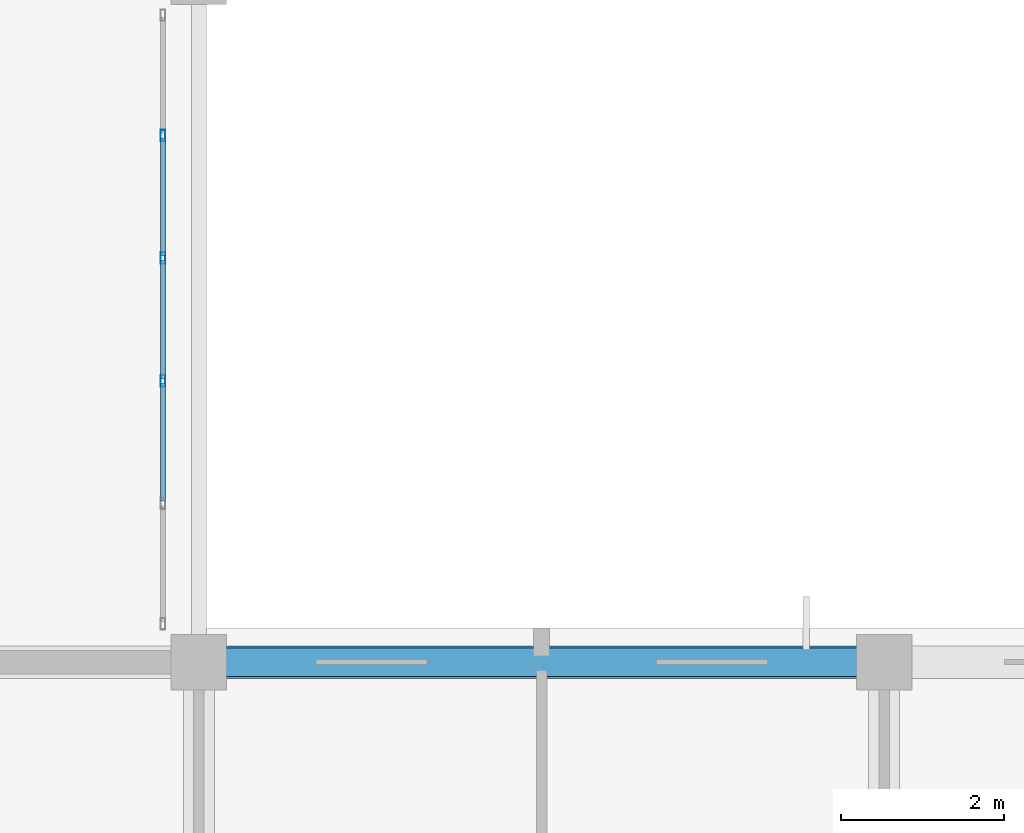
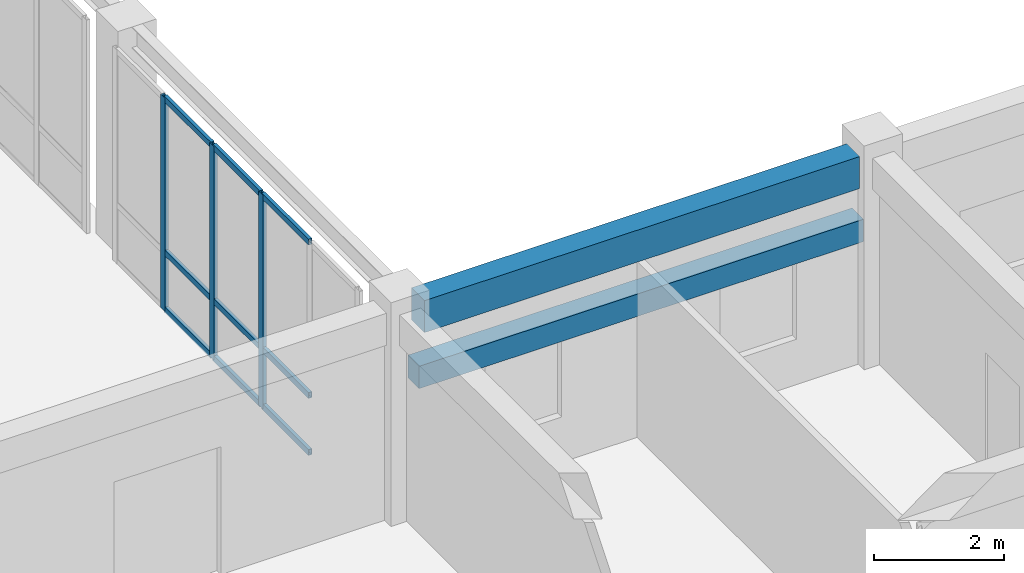
# One storey, part 29 of 140: 12 members, 2 beams, 1 element without a shape of its own.
"""IFC4 building model written with IfcOpenShell, lengths in metres."""

from ifc_helpers import new_model, si_unit, direction, frame, origin, origin_2d, place, context, subcontext, project, spatial, rectangle, hollow_rectangle, extrude, material, layer, layer_set, material_profile, profile_set, type_object, element, aggregate, save


model = new_model("IFC4")

# Units and contexts
model_context = context("Model", 3, precision=1e-05, world=origin(), true_north=direction((0.0, 1.0)))
body_context = subcontext(model_context, "Body", "Model", "MODEL_VIEW")
ifc_project = project(units=[si_unit("LENGTHUNIT", "METRE"), si_unit("AREAUNIT", "SQUARE_METRE"), si_unit("VOLUMEUNIT", "CUBIC_METRE"), si_unit("PLANEANGLEUNIT", "RADIAN"), si_unit("MASSUNIT", "GRAM", prefix="KILO")], contexts=[model_context])

# Site, building, storey
site_placement = place(None, origin())
site = spatial("IfcSite", under=ifc_project, at=site_placement, CompositionType="ELEMENT")
building_placement = place(site_placement, origin())
building = spatial("IfcBuilding", under=site, at=building_placement, Name="Trelvath General Hospital", CompositionType="ELEMENT")
storey_placement = place(building_placement, frame((0.0, 0.0, 16.199951171875)))
storey = spatial("IfcBuildingStorey", under=building, at=storey_placement, Name="L04", CompositionType="ELEMENT", Elevation=16.199951171875)

# Beam
ifc_material_1 = material(Name="Concrete C35/45", Category="concrete")
ifc_material_profile_1 = material_profile(ifc_material_1, rectangle(XDim=0.39990234375, YDim=0.60009765625, at=origin_2d()), Name="RCB400x600")
ifc_profile_set_1 = profile_set([ifc_material_profile_1], Name="Concrete C35/45")
beam_type_1 = type_object("IfcBeamType", Name="Beam RC400x600", PredefinedType="BEAM", material=ifc_profile_set_1)
beam_1_placement = place(storey_placement, frame((84.3349609375, 25.199951171875, 3.6201171875), z_axis=(1.0, 0.0, 0.0), x_axis=(0.0, 1.0, 0.0)))
element("IfcBeam", 1, at=beam_1_placement, inside=storey, type_object=beam_type_1, Name="Grid Beam BX-410D", PredefinedType="BEAM", context=body_context, shape_type="SweptSolid", body=[
    extrude(rectangle(XDim=0.39990234375, YDim=0.60009765625, at=origin_2d()), origin(), (0.0, 0.0, 1.0), 7.72998046875),
])

# Curtain wall, members
ifc_material_2 = material(Name="Anodised aluminium and low-E glass", Category="aluminium")
ifc_layer = layer(ifc_material_2, 0.139892578125)
ifc_layer_set = layer_set([ifc_layer], Name="Anodised aluminium and low-E glass")
curtain_wall_type = type_object("IfcCurtainWallType", Name="CW Bridge 752 401", PredefinedType="USERDEFINED", material=ifc_layer_set)
curtain_wall_placement = place(storey_placement, origin())
curtain_wall = element("IfcCurtainWall", 2, at=curtain_wall_placement, inside=storey, type_object=curtain_wall_type, Name="Glazed Bridge Curtain Wall BRG-S-C E L04", ObjectType="Unitised Glazed Curtain Wall", PredefinedType="USERDEFINED")
ifc_material_3 = material(Name="Anodised aluminium", Category="aluminium")
ifc_material_profile_2 = material_profile(ifc_material_3, hollow_rectangle(XDim=0.06005859375, YDim=0.139892578125, WallThickness=0.00390625, at=origin_2d()), Name="RHS60x140x4")
ifc_profile_set_2 = profile_set([ifc_material_profile_2], Name="Anodised aluminium")
member_type_1 = type_object("IfcMemberType", Name="CurtainMullion 60x140", PredefinedType="MULLION", material=ifc_profile_set_2)
member_1_placement = place(storey_placement, frame((83.56005859375, 31.656005859375, 0.0), z_axis=(0.0, 0.0, 1.0), x_axis=(1.0, 0.0, 0.0)))
member_1 = element("IfcMember", 3, at=member_1_placement, type_object=member_type_1, Name="CW-303 mullion 2", PredefinedType="MULLION", context=body_context, shape_type="SweptSolid", body=[
    extrude(hollow_rectangle(XDim=0.06005859375, YDim=0.139892578125, WallThickness=0.00390625, at=origin_2d()), origin(), (0.0, 0.0, 1.0), 4.010009765625),
])
member_2_placement = place(storey_placement, frame((83.56005859375, 30.152099609375, 0.0), z_axis=(0.0, 0.0, 1.0), x_axis=(1.0, 0.0, 0.0)))
member_2 = element("IfcMember", 4, at=member_2_placement, type_object=member_type_1, Name="CW-303 mullion 3", PredefinedType="MULLION", context=body_context, shape_type="SweptSolid", body=[
    extrude(hollow_rectangle(XDim=0.06005859375, YDim=0.139892578125, WallThickness=0.00390625, at=origin_2d()), origin(), (0.0, 0.0, 1.0), 4.010009765625),
])
member_3_placement = place(storey_placement, frame((83.56005859375, 28.64794921875, 0.0), z_axis=(0.0, 0.0, 1.0), x_axis=(1.0, 0.0, 0.0)))
member_3 = element("IfcMember", 5, at=member_3_placement, type_object=member_type_1, Name="CW-303 mullion 4", PredefinedType="MULLION", context=body_context, shape_type="SweptSolid", body=[
    extrude(hollow_rectangle(XDim=0.06005859375, YDim=0.139892578125, WallThickness=0.00390625, at=origin_2d()), origin(), (0.0, 0.0, 1.0), 4.010009765625),
])
ifc_material_4 = material(Name="Anodised aluminium", Category="aluminium")
ifc_material_profile_3 = material_profile(ifc_material_4, hollow_rectangle(XDim=0.06005859375, YDim=0.110107421875, WallThickness=0.00390625, at=origin_2d()), Name="RHS60x110x4")
ifc_profile_set_3 = profile_set([ifc_material_profile_3], Name="Anodised aluminium")
member_type_2 = type_object("IfcMemberType", Name="CurtainTransom 60x110", PredefinedType="USERDEFINED", material=ifc_profile_set_3)
member_4_placement = place(storey_placement, frame((83.56005859375, 31.6259765625, 0.030029296875), z_axis=(0.0, -1.0, 0.0), x_axis=(1.0, 0.0, 0.0)))
member_4 = element("IfcMember", 6, at=member_4_placement, type_object=member_type_2, Name="CW-303 transom 2.1", ObjectType="TRANSOM", PredefinedType="USERDEFINED", context=body_context, shape_type="SweptSolid", body=[
    extrude(hollow_rectangle(XDim=0.06005859375, YDim=0.110107421875, WallThickness=0.00390625, at=origin_2d()), origin(), (0.0, 0.0, 1.0), 1.444091796875),
])
member_5_placement = place(storey_placement, frame((83.56005859375, 31.6259765625, 1.10009765625), z_axis=(0.0, -1.0, 0.0), x_axis=(1.0, 0.0, 0.0)))
member_5 = element("IfcMember", 7, at=member_5_placement, type_object=member_type_2, Name="CW-303 transom 2.2", ObjectType="TRANSOM", PredefinedType="USERDEFINED", context=body_context, shape_type="SweptSolid", body=[
    extrude(hollow_rectangle(XDim=0.06005859375, YDim=0.110107421875, WallThickness=0.00390625, at=origin_2d()), origin(), (0.0, 0.0, 1.0), 1.444091796875),
])
member_6_placement = place(storey_placement, frame((83.56005859375, 31.6259765625, 3.97998046875), z_axis=(0.0, -1.0, 0.0), x_axis=(1.0, 0.0, 0.0)))
member_6 = element("IfcMember", 8, at=member_6_placement, type_object=member_type_2, Name="CW-303 transom 2.3", ObjectType="TRANSOM", PredefinedType="USERDEFINED", context=body_context, shape_type="SweptSolid", body=[
    extrude(hollow_rectangle(XDim=0.06005859375, YDim=0.110107421875, WallThickness=0.00390625, at=origin_2d()), origin(), (0.0, 0.0, 1.0), 1.444091796875),
])
member_7_placement = place(storey_placement, frame((83.56005859375, 30.1220703125, 0.030029296875), z_axis=(0.0, -1.0, 0.0), x_axis=(1.0, 0.0, 0.0)))
member_7 = element("IfcMember", 9, at=member_7_placement, type_object=member_type_2, Name="CW-303 transom 3.1", ObjectType="TRANSOM", PredefinedType="USERDEFINED", context=body_context, shape_type="SweptSolid", body=[
    extrude(hollow_rectangle(XDim=0.06005859375, YDim=0.110107421875, WallThickness=0.00390625, at=origin_2d()), origin(), (0.0, 0.0, 1.0), 1.444091796875),
])
member_8_placement = place(storey_placement, frame((83.56005859375, 30.1220703125, 1.10009765625), z_axis=(0.0, -1.0, 0.0), x_axis=(1.0, 0.0, 0.0)))
member_8 = element("IfcMember", 10, at=member_8_placement, type_object=member_type_2, Name="CW-303 transom 3.2", ObjectType="TRANSOM", PredefinedType="USERDEFINED", context=body_context, shape_type="SweptSolid", body=[
    extrude(hollow_rectangle(XDim=0.06005859375, YDim=0.110107421875, WallThickness=0.00390625, at=origin_2d()), origin(), (0.0, 0.0, 1.0), 1.444091796875),
])
member_9_placement = place(storey_placement, frame((83.56005859375, 30.1220703125, 3.97998046875), z_axis=(0.0, -1.0, 0.0), x_axis=(1.0, 0.0, 0.0)))
member_9 = element("IfcMember", 11, at=member_9_placement, type_object=member_type_2, Name="CW-303 transom 3.3", ObjectType="TRANSOM", PredefinedType="USERDEFINED", context=body_context, shape_type="SweptSolid", body=[
    extrude(hollow_rectangle(XDim=0.06005859375, YDim=0.110107421875, WallThickness=0.00390625, at=origin_2d()), origin(), (0.0, 0.0, 1.0), 1.444091796875),
])
member_10_placement = place(storey_placement, frame((83.56005859375, 28.617919921875, 0.030029296875), z_axis=(0.0, -1.0, 0.0), x_axis=(1.0, 0.0, 0.0)))
member_10 = element("IfcMember", 12, at=member_10_placement, type_object=member_type_2, Name="CW-303 transom 4.1", ObjectType="TRANSOM", PredefinedType="USERDEFINED", context=body_context, shape_type="SweptSolid", body=[
    extrude(hollow_rectangle(XDim=0.06005859375, YDim=0.110107421875, WallThickness=0.00390625, at=origin_2d()), origin(), (0.0, 0.0, 1.0), 1.44384765625),
])
member_11_placement = place(storey_placement, frame((83.56005859375, 28.617919921875, 1.10009765625), z_axis=(0.0, -1.0, 0.0), x_axis=(1.0, 0.0, 0.0)))
member_11 = element("IfcMember", 13, at=member_11_placement, type_object=member_type_2, Name="CW-303 transom 4.2", ObjectType="TRANSOM", PredefinedType="USERDEFINED", context=body_context, shape_type="SweptSolid", body=[
    extrude(hollow_rectangle(XDim=0.06005859375, YDim=0.110107421875, WallThickness=0.00390625, at=origin_2d()), origin(), (0.0, 0.0, 1.0), 1.44384765625),
])
member_12_placement = place(storey_placement, frame((83.56005859375, 28.617919921875, 3.97998046875), z_axis=(0.0, -1.0, 0.0), x_axis=(1.0, 0.0, 0.0)))
member_12 = element("IfcMember", 14, at=member_12_placement, type_object=member_type_2, Name="CW-303 transom 4.3", ObjectType="TRANSOM", PredefinedType="USERDEFINED", context=body_context, shape_type="SweptSolid", body=[
    extrude(hollow_rectangle(XDim=0.06005859375, YDim=0.110107421875, WallThickness=0.00390625, at=origin_2d()), origin(), (0.0, 0.0, 1.0), 1.44384765625),
])
aggregate(curtain_wall, [member_1, member_2, member_3, member_4, member_5, member_6, member_7, member_8, member_9, member_10, member_11, member_12])

# Beam
ifc_material_5 = material(Name="Precast concrete C40/50", Category="concrete")
ifc_material_profile_4 = material_profile(ifc_material_5, rectangle(XDim=0.35009765625, YDim=0.419921875, at=origin_2d()), Name="PCL350x420")
ifc_profile_set_4 = profile_set([ifc_material_profile_4], Name="Precast concrete C40/50")
beam_type_2 = type_object("IfcBeamType", Name="Lintel PC350x420", PredefinedType="LINTEL", material=ifc_profile_set_4)
beam_2_placement = place(storey_placement, frame((84.2548828125, 25.199951171875, 2.489990234375), z_axis=(1.0, 0.0, 0.0), x_axis=(0.0, 1.0, 0.0)))
element("IfcBeam", 15, at=beam_2_placement, inside=storey, type_object=beam_type_2, Name="Precast Window Brow Lintel L04-462", PredefinedType="LINTEL", context=body_context, shape_type="SweptSolid", body=[
    extrude(rectangle(XDim=0.35009765625, YDim=0.419921875, at=origin_2d()), origin(), (0.0, 0.0, 1.0), 7.89013671875),
])

save(model, "model.ifc")
